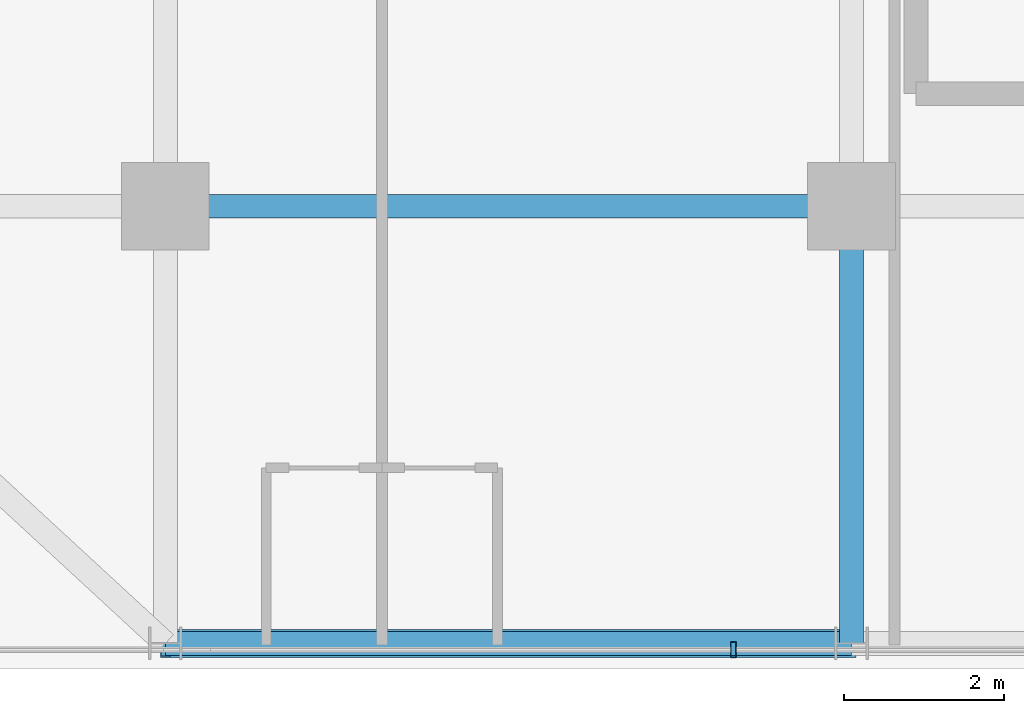
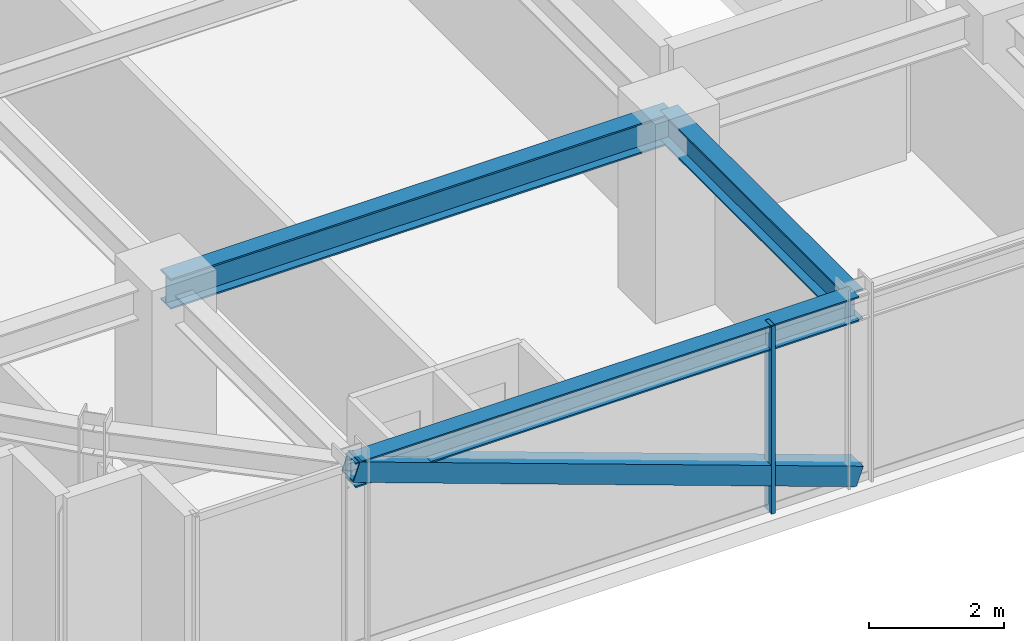
# One storey, part 3 of 41: 3 beams, 2 members, 1 element without a shape of its own.
"""IFC4 building model written with IfcOpenShell, lengths in metres."""

import ifcopenshell
import ifcopenshell.guid

model = None  # the IFC model being written
_history = None  # IfcOwnerHistory: only IFC2X3 demands one
_inside = {}  # id of a spatial element -> (the spatial element, [elements in it])
_under = {}  # id of a project, library or spatial element -> (it, [spatial elements below it])
_declared = {}  # id of a project -> (the project, [libraries it declares])
_typed = {}  # id of a type object -> (the type object, [elements of that type])
_made_of = {}  # id of a material, layer set ... -> (it, [elements and type objects made of it])


def new_model(schema):
    """Start an empty IFC model of exactly this schema.

    Asked for "IFC4X3", IfcOpenShell would pick the latest addendum, in which some entities
    have other attributes; the version numbers below select the first issue.
    IFC2X3 requires an IfcOwnerHistory on every rooted entity: one is made here for all.
    """
    global model, _history
    if schema == "IFC4X3":
        model = ifcopenshell.file(schema_version=(4, 3, 0, 0))
    else:
        model = ifcopenshell.file(schema=schema)
    _inside.clear()
    _under.clear()
    _declared.clear()
    _typed.clear()
    _made_of.clear()
    _history = None
    if model.schema == "IFC2X3":
        org = make("IfcOrganization", Name="unknown")
        user = make(
            "IfcPersonAndOrganization",
            ThePerson=make("IfcPerson", FamilyName="unknown"),
            TheOrganization=org,
        )
        app = make(
            "IfcApplication",
            ApplicationDeveloper=org,
            Version="unknown",
            ApplicationFullName="unknown",
            ApplicationIdentifier="unknown",
        )
        _history = make(
            "IfcOwnerHistory",
            OwningUser=user,
            OwningApplication=app,
            ChangeAction="ADDED",
            CreationDate=0,
        )
    return model


def make(cls, **values):
    """One entity of the class cls with the attributes given. An attribute that is None is left unset."""
    return model.create_entity(
        cls, **{name: value for name, value in values.items() if value is not None}
    )


def rooted(cls, **values):
    """An entity with a GlobalId (a new one), such as an element, a storey or a relation."""
    return make(cls, GlobalId=ifcopenshell.guid.new(), OwnerHistory=_history, **values)


def si_unit(unit_type, name, prefix=None):
    """IfcSIUnit, for example si_unit("LENGTHUNIT", "METRE", prefix="MILLI")."""
    return make("IfcSIUnit", UnitType=unit_type, Prefix=prefix, Name=name)


def assignment(units):
    """IfcUnitAssignment: the units of a project."""
    return None if units is None else make("IfcUnitAssignment", Units=units)


def point(xyz):
    """IfcCartesianPoint."""
    return None if xyz is None else make("IfcCartesianPoint", Coordinates=xyz)


def direction(xyz):
    """IfcDirection."""
    return None if xyz is None else make("IfcDirection", DirectionRatios=xyz)


def frame(location, z_axis=None, x_axis=None):
    """IfcAxis2Placement3D, a coordinate frame: its origin and axes. An axis left out is left unset."""
    return make(
        "IfcAxis2Placement3D",
        Location=point(location),
        Axis=direction(z_axis),
        RefDirection=direction(x_axis),
    )


def frame_2d(location, x_axis=None):
    """IfcAxis2Placement2D, a coordinate frame in the plane: its origin and x axis."""
    return make(
        "IfcAxis2Placement2D", Location=point(location), RefDirection=direction(x_axis)
    )


def origin():
    """The frame at (0, 0, 0) with its axes left unset."""
    return frame((0.0, 0.0, 0.0))


def origin_2d():
    """The frame at (0, 0) in the plane with its x axis left unset."""
    return frame_2d((0.0, 0.0))


def place(relative_to, where):
    """IfcLocalPlacement: puts the frame where relative to a parent placement (None: the world)."""
    return make(
        "IfcLocalPlacement", PlacementRelTo=relative_to, RelativePlacement=where
    )


def context(
    kind, dimensions, precision=None, world=None, true_north=None, identifier=None
):
    """IfcGeometricRepresentationContext, for example the 3D "Model" context."""
    return make(
        "IfcGeometricRepresentationContext",
        ContextIdentifier=identifier,
        ContextType=kind,
        CoordinateSpaceDimension=dimensions,
        Precision=precision,
        WorldCoordinateSystem=world,
        TrueNorth=true_north,
    )


def subcontext(parent, identifier, kind, view, scale=None):
    """IfcGeometricRepresentationSubContext, for example "Body" below "Model"."""
    return make(
        "IfcGeometricRepresentationSubContext",
        ContextIdentifier=identifier,
        ContextType=kind,
        ParentContext=parent,
        TargetScale=scale,
        TargetView=view,
    )


def project(units=None, contexts=None):
    """IfcProject with its units and contexts."""
    return rooted(
        "IfcProject",
        Name="project",
        RepresentationContexts=contexts,
        UnitsInContext=assignment(units),
    )


def spatial(cls, under=None, at=None, **own):
    """A site, building, storey or space (cls), placed at a placement, below another one or the project."""
    s = rooted(cls, ObjectPlacement=at, **own)
    if under is not None:
        _under.setdefault(under.id(), (under, []))[1].append(s)
    return s


def profile(cls, at=None, kind="AREA", **sizes):
    """A parametric profile (cls). Its sizes go by their IFC names, for example OverallWidth=200.0."""
    return make(cls, ProfileType=kind, Position=at, **sizes)


def hollow_rectangle(**sizes):
    """IfcRectangleHollowProfileDef."""
    return profile("IfcRectangleHollowProfileDef", **sizes)


def i_section(**sizes):
    """IfcIShapeProfileDef."""
    return profile("IfcIShapeProfileDef", **sizes)


def extrude(swept, where, along, depth):
    """IfcExtrudedAreaSolid: the profile swept, set in the frame where, extruded along a direction by depth."""
    return make(
        "IfcExtrudedAreaSolid",
        SweptArea=swept,
        Position=where,
        ExtrudedDirection=direction(along),
        Depth=depth,
    )


def shape(context_of_items, identifier, shape_type, items):
    """IfcShapeRepresentation: the items that make up one representation, for example the "Body"."""
    return make(
        "IfcShapeRepresentation",
        ContextOfItems=context_of_items,
        RepresentationIdentifier=identifier,
        RepresentationType=shape_type,
        Items=items,
    )


def source(mapping_origin, context_of_items, identifier, shape_type, items):
    """IfcRepresentationMap: a shape defined once, which mapped items show again and again."""
    return make(
        "IfcRepresentationMap",
        MappingOrigin=mapping_origin,
        MappedRepresentation=shape(context_of_items, identifier, shape_type, items),
    )


def transform(
    local_origin,
    x_axis=None,
    y_axis=None,
    z_axis=None,
    scale=None,
    scale2=None,
    scale3=None,
    uniform=True,
):
    """IfcCartesianTransformationOperator3D, or its non-uniform kind. x_axis, y_axis, z_axis: its Axis1, 2, 3."""
    if uniform:
        return make(
            "IfcCartesianTransformationOperator3D",
            Axis1=direction(x_axis),
            Axis2=direction(y_axis),
            LocalOrigin=point(local_origin),
            Scale=scale,
            Axis3=direction(z_axis),
        )
    return make(
        "IfcCartesianTransformationOperator3DnonUniform",
        Axis1=direction(x_axis),
        Axis2=direction(y_axis),
        LocalOrigin=point(local_origin),
        Scale=scale,
        Axis3=direction(z_axis),
        Scale2=scale2,
        Scale3=scale3,
    )


def mapped(mapping_source, mapping_target):
    """IfcMappedItem: shows the shape of a source again, moved by a transform."""
    return make(
        "IfcMappedItem", MappingSource=mapping_source, MappingTarget=mapping_target
    )


def material(Name=None, Category=None):
    """IfcMaterial."""
    return make("IfcMaterial", Name=Name, Category=Category)


def material_profile(
    of_material, cross_section, Name=None, Category=None, Priority=None
):
    """IfcMaterialProfile: a cross section and its material."""
    return make(
        "IfcMaterialProfile",
        Name=Name,
        Material=of_material,
        Profile=cross_section,
        Priority=Priority,
        Category=Category,
    )


def profile_set(profiles, Name=None, composite=None):
    """IfcMaterialProfileSet."""
    return make(
        "IfcMaterialProfileSet",
        Name=Name,
        MaterialProfiles=profiles,
        CompositeProfile=composite,
    )


def made_of(thing, what):
    """Note that an element or type object is made of a material, layer set ...; save() writes the relation."""
    if what is not None:
        _made_of.setdefault(what.id(), (what, []))[1].append(thing)
    return thing


def type_object(cls, material=None, **own):
    """A type object (cls), such as IfcWallType, which elements share."""
    return made_of(rooted(cls, **own), material)


def element(
    cls,
    number,
    at=None,
    inside=None,
    cuts=None,
    type_object=None,
    material=None,
    context=None,
    identifier="Body",
    shape_type=None,
    held_by="IfcProductDefinitionShape",
    body=None,
    shapes=None,
    **own,
):
    """One element of the class cls, such as IfcWall. Its Tag is "e" and its number.

    at: its placement. inside: the storey or other place that contains it. cuts: it is an
    opening in that element (IfcRelVoidsElement). A single representation is given by context,
    identifier, shape_type and body (its items); several are given by shapes. held_by: the class
    of the entity that holds the representations. save() writes the other relations.
    """
    e = rooted(cls, Tag="e%d" % number, ObjectPlacement=at, **own)
    if body is not None:
        shapes = [shape(context, identifier, shape_type, body)]
    if shapes is not None:
        e.Representation = make(held_by, Representations=shapes)
    if inside is not None:
        _inside.setdefault(inside.id(), (inside, []))[1].append(e)
    if cuts is not None:
        rooted(
            "IfcRelVoidsElement", RelatingBuildingElement=cuts, RelatedOpeningElement=e
        )
    if type_object is not None:
        _typed.setdefault(type_object.id(), (type_object, []))[1].append(e)
    return made_of(e, material)


def aggregate(whole, parts):
    """IfcRelAggregates: a whole, such as a stair, and the parts it consists of."""
    return rooted("IfcRelAggregates", RelatingObject=whole, RelatedObjects=parts)


def save(model, path):
    """Write the relations noted so far, then the file.

    IfcRelAggregates (storeys below a building ...), IfcRelContainedInSpatialStructure (elements
    in a storey), IfcRelDefinesByType, IfcRelAssociatesMaterial and IfcRelDeclares: one each for
    every whole, place, type object, material and project.
    """
    for whole, parts in _under.values():
        aggregate(whole, parts)
    for where, things in _inside.values():
        rooted(
            "IfcRelContainedInSpatialStructure",
            RelatedElements=things,
            RelatingStructure=where,
        )
    for kind, things in _typed.values():
        rooted("IfcRelDefinesByType", RelatedObjects=things, RelatingType=kind)
    for what, things in _made_of.values():
        rooted("IfcRelAssociatesMaterial", RelatedObjects=things, RelatingMaterial=what)
    for by, libraries in _declared.values():
        rooted("IfcRelDeclares", RelatingContext=by, RelatedDefinitions=libraries)
    model.write(path)


model = new_model("IFC4")

# Units and contexts
model_context = context("Model", 3, precision=1e-05, world=origin(), true_north=direction((0.0, 1.0)))
body_context = subcontext(model_context, "Body", "Model", "MODEL_VIEW")
ifc_project = project(units=[si_unit("LENGTHUNIT", "METRE"), si_unit("AREAUNIT", "SQUARE_METRE"), si_unit("VOLUMEUNIT", "CUBIC_METRE"), si_unit("PLANEANGLEUNIT", "RADIAN"), si_unit("MASSUNIT", "GRAM", prefix="KILO")], contexts=[model_context])

# Site, building, storey
site_placement = place(None, origin())
site = spatial("IfcSite", under=ifc_project, at=site_placement, CompositionType="ELEMENT")
building_placement = place(site_placement, origin())
building = spatial("IfcBuilding", under=site, at=building_placement, Name="Nahalor Promenade Grand Hotel", CompositionType="ELEMENT")
storey_placement = place(building_placement, frame((0.0, 0.0, 159.949951171875)))
storey = spatial("IfcBuildingStorey", under=building, at=storey_placement, Name="L40", CompositionType="ELEMENT", Elevation=159.949951171875)

# Beams
ifc_material_1 = material(Name="Steel S355JR", Category="steel")
ifc_material_profile_1 = material_profile(ifc_material_1, i_section(OverallWidth=0.3, OverallDepth=0.55, WebThickness=0.015, FlangeThickness=0.029, at=origin_2d()), Name="HEB 550")
ifc_profile_set_1 = profile_set([ifc_material_profile_1], Name="Steel S355JR")
beam_type_1 = type_object("IfcBeamType", Name="Beam-Girder-HEB550", PredefinedType="BEAM", material=ifc_profile_set_1)
shared_shape_1 = source(origin(), body_context, "Body", "SweptSolid", [
    extrude(i_section(OverallWidth=0.3, OverallDepth=0.55, WebThickness=0.015, FlangeThickness=0.029, at=origin_2d()), origin(), (0.0, 0.0, 1.0), 8.60009765625),
])
beam_1_placement = place(storey_placement, frame((-17.0, -17.0, 3.114990234375), z_axis=(1.0, 0.0, 0.0), x_axis=(0.0, 1.0, 0.0)))
element("IfcBeam", 1, at=beam_1_placement, inside=storey, type_object=beam_type_1, Name="BM-L40-GX-0-1", PredefinedType="BEAM", context=body_context, shape_type="MappedRepresentation", body=[
    mapped(shared_shape_1, transform((0.0, 0.0, 0.0), scale=1.0)),
])
shared_shape_2 = source(origin(), body_context, "Body", "SweptSolid", [
    extrude(i_section(OverallWidth=0.3, OverallDepth=0.55, WebThickness=0.015, FlangeThickness=0.029, at=origin_2d()), origin(), (0.0, 0.0, 1.0), 5.47998046875),
])
beam_2_placement = place(storey_placement, frame((-8.39990234375, -22.47998046875, 3.114990234375), z_axis=(0.0, 1.0, 0.0), x_axis=(-1.0, 0.0, 0.0)))
element("IfcBeam", 2, at=beam_2_placement, inside=storey, type_object=beam_type_1, Name="BM-L40-GY-1-0", PredefinedType="BEAM", context=body_context, shape_type="MappedRepresentation", body=[
    mapped(shared_shape_2, transform((0.0, 0.0, 0.0), scale=1.0)),
])
ifc_material_profile_2 = material_profile(ifc_material_1, i_section(OverallWidth=0.3, OverallDepth=0.45, WebThickness=0.014, FlangeThickness=0.026, at=origin_2d()), Name="HEB 450")
ifc_profile_set_2 = profile_set([ifc_material_profile_2], Name="Steel S355JR")
beam_type_2 = type_object("IfcBeamType", Name="Beam-Spandrel-HEB450", PredefinedType="SPANDREL", material=ifc_profile_set_2)
shared_shape_3 = source(origin(), body_context, "Body", "SweptSolid", [
    extrude(i_section(OverallWidth=0.3, OverallDepth=0.45, WebThickness=0.014, FlangeThickness=0.026, at=origin_2d()), origin(), (0.0, 0.0, 1.0), 8.60009765625),
])
beam_3_placement = place(storey_placement, frame((-17.0, -22.47998046875, 3.1650390625), z_axis=(1.0, 0.0, 0.0), x_axis=(0.0, 1.0, 0.0)))
element("IfcBeam", 3, at=beam_3_placement, inside=storey, type_object=beam_type_2, Name="BM-L40-SP-S-0", PredefinedType="SPANDREL", context=body_context, shape_type="MappedRepresentation", body=[
    mapped(shared_shape_3, transform((0.0, 0.0, 0.0), scale=1.0)),
])

# Member
ifc_material_profile_3 = material_profile(ifc_material_1, hollow_rectangle(XDim=0.35, YDim=0.35, WallThickness=0.02, at=origin_2d()), Name="SHS 350x350x20")
ifc_profile_set_3 = profile_set([ifc_material_profile_3], Name="Steel S355JR")
member_type_1 = type_object("IfcMemberType", Name="Mem-VoidBrace-SHS350", PredefinedType="BRACE", material=ifc_profile_set_3)
shared_shape_4 = source(origin(), body_context, "Body", "SweptSolid", [
    extrude(hollow_rectangle(XDim=0.35, YDim=0.35, WallThickness=0.02, at=origin_2d()), origin(), (0.0, 0.0, 1.0), 9.138427734375),
])
member_1_placement = place(storey_placement, frame((-8.39990234375, -22.47998046875, 0.150146484375), z_axis=(-0.941103144716, 0.0, 0.338119610501), x_axis=(0.0, -1.0, 0.0)))
element("IfcMember", 4, at=member_1_placement, inside=storey, type_object=member_type_1, Name="EXO-L40-S-0", PredefinedType="BRACE", context=body_context, shape_type="MappedRepresentation", body=[
    mapped(shared_shape_4, transform((0.0, 0.0, 0.0), scale=1.0)),
])

# Curtain wall, member
ifc_material_2 = material(Name="Anodised Bronze Aluminium EN AW-6063 T6", Category="aluminium")
curtain_wall_type = type_object("IfcCurtainWallType", Name="CW3 Elliptical-Void Collar Unitised Curtain Wall", PredefinedType="USERDEFINED", material=ifc_material_2)
curtain_wall_placement = place(storey_placement, origin())
curtain_wall = element("IfcCurtainWall", 5, at=curtain_wall_placement, inside=storey, type_object=curtain_wall_type, Name="L40 Curtain Wall CW-L40-S-1", ObjectType="UNITISED_CURTAIN_WALL", PredefinedType="USERDEFINED")
ifc_material_profile_4 = material_profile(ifc_material_2, hollow_rectangle(XDim=0.07, YDim=0.2, WallThickness=0.005, at=origin_2d()), Name="CWM 70x200x5")
ifc_profile_set_4 = profile_set([ifc_material_profile_4], Name="Anodised Bronze Aluminium EN AW-6063 T6")
member_type_2 = type_object("IfcMemberType", Name="CWM3 Void Collar Mullion 70x200", PredefinedType="MULLION", material=ifc_profile_set_4)
shared_shape_5 = source(origin(), body_context, "Body", "SweptSolid", [
    extrude(hollow_rectangle(XDim=0.07, YDim=0.2, WallThickness=0.005, at=origin_2d()), origin(), (0.0, 0.0, 1.0), 3.39013671875),
])
member_2_placement = place(storey_placement, frame((-9.8798828125, -22.56005859375, 0.0), z_axis=(0.0, 0.0, 1.0), x_axis=(1.0, 0.0, 0.0)))
member_2 = element("IfcMember", 6, at=member_2_placement, type_object=member_type_2, Name="CW-L40-S-1 Mullion 1", PredefinedType="MULLION", context=body_context, shape_type="MappedRepresentation", body=[
    mapped(shared_shape_5, transform((0.0, 0.0, 0.0), scale=1.0)),
])
aggregate(curtain_wall, [member_2])

save(model, "model.ifc")
